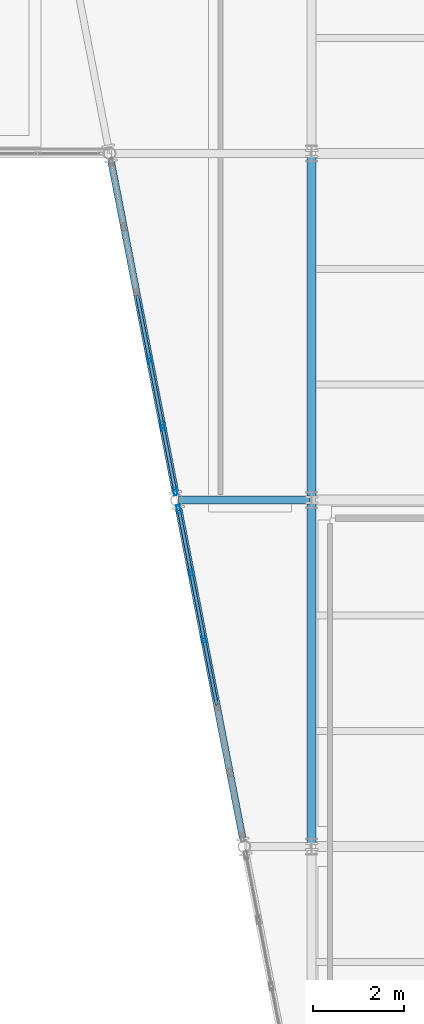
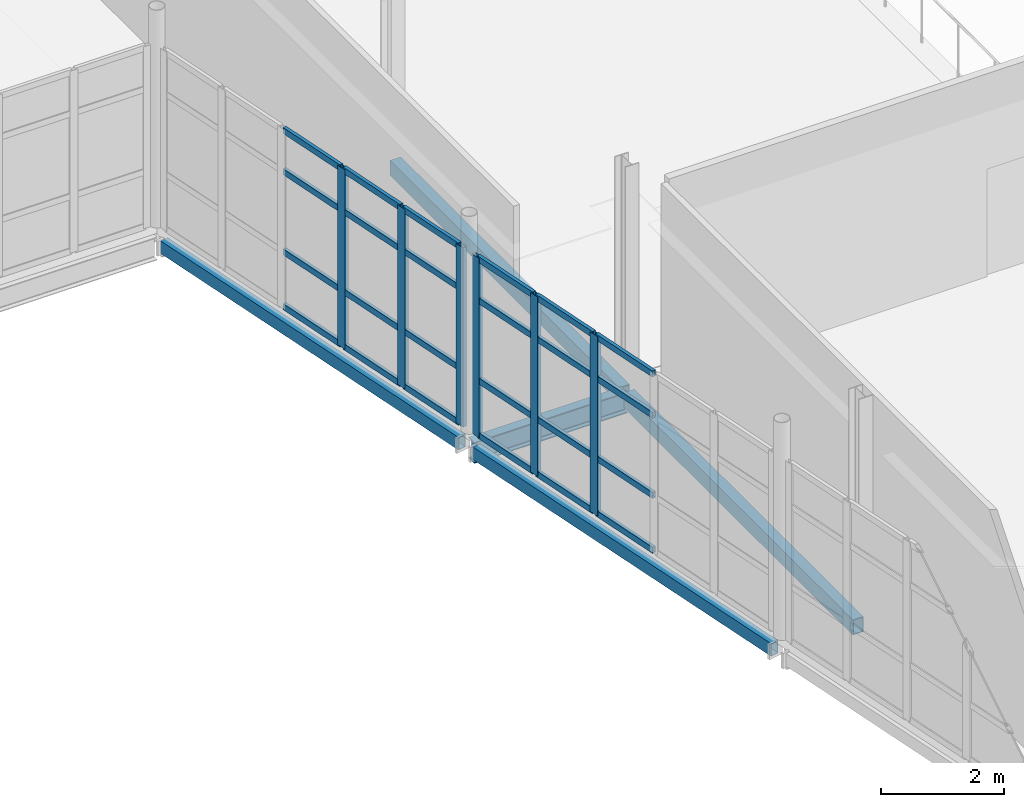
# One storey, part 90 of 174: 30 members, 5 beams, 2 elements without a shape of their own.
"""IFC4 building model written with IfcOpenShell, lengths in metres."""

from ifc_helpers import new_model, si_unit, direction, frame, origin, origin_2d, place, context, subcontext, project, spatial, hollow_rectangle, i_section, extrude, material, material_profile, profile_set, type_object, element, aggregate, save


model = new_model("IFC4")

# Units and contexts
model_context = context("Model", 3, precision=1e-05, world=origin(), true_north=direction((0.0, 1.0)))
body_context = subcontext(model_context, "Body", "Model", "MODEL_VIEW")
ifc_project = project(units=[si_unit("LENGTHUNIT", "METRE"), si_unit("AREAUNIT", "SQUARE_METRE"), si_unit("VOLUMEUNIT", "CUBIC_METRE"), si_unit("PLANEANGLEUNIT", "RADIAN"), si_unit("MASSUNIT", "GRAM", prefix="KILO")], contexts=[model_context])

# Site, building, storey
site_placement = place(None, origin())
site = spatial("IfcSite", under=ifc_project, at=site_placement, CompositionType="ELEMENT")
building_placement = place(site_placement, origin())
building = spatial("IfcBuilding", under=site, at=building_placement, Name="Caisbarro Railhouse Central Library", CompositionType="ELEMENT")
storey_placement = place(building_placement, frame((0.0, 0.0, 5.0400390625)))
storey = spatial("IfcBuildingStorey", under=building, at=storey_placement, Name="L01", CompositionType="ELEMENT", Elevation=5.0400390625)

# Beams
ifc_material_1 = material(Name="Steel ASTM A572 Grade 50", Category="steel")
ifc_material_profile_1 = material_profile(ifc_material_1, i_section(OverallWidth=0.180908203125, OverallDepth=0.4169921875, WebThickness=0.010986328125, FlangeThickness=0.018310546875, FilletRadius=0.01611328125, at=origin_2d()), Name="W410X85.0")
ifc_profile_set_1 = profile_set([ifc_material_profile_1], Name="Steel ASTM A572 Grade 50")
beam_type_1 = type_object("IfcBeamType", Name="BM-G09", PredefinedType="BEAM", material=ifc_profile_set_1)
beam_1_placement = place(storey_placement, frame((114.0849609375, 76.0, -0.428466796875), z_axis=(1.0, 0.0, 0.0), x_axis=(0.0, 1.0, 0.0)))
element("IfcBeam", 1, at=beam_1_placement, inside=storey, type_object=beam_type_1, Name="G09 beam L01 #1272", PredefinedType="BEAM", context=body_context, shape_type="SweptSolid", body=[
    extrude(i_section(OverallWidth=0.180908203125, OverallDepth=0.4169921875, WebThickness=0.010986328125, FlangeThickness=0.018310546875, FilletRadius=0.01611328125, at=origin_2d()), origin(), (0.0, 0.0, 1.0), 2.875),
])
ifc_material_profile_2 = material_profile(ifc_material_1, hollow_rectangle(XDim=0.199951171875, YDim=0.300048828125, WallThickness=0.012451171875, at=origin_2d()), Name="HSS300X200X12.5")
ifc_profile_set_2 = profile_set([ifc_material_profile_2], Name="Steel ASTM A572 Grade 50")
beam_type_2 = type_object("IfcBeamType", Name="BM-SP02", PredefinedType="SPANDREL", material=ifc_profile_set_2)
for number, where, z_axis, x_axis, name in (
    (2, (117.0, 68.47998046875, -0.3701171875), (0.0, 1.0, 0.0), (-1.0, 0.0, 0.0), "SP02 beam L01 #932"),
    (3, (117.0, 76.080078125, -0.3701171875), (0.0, 1.0, 0.0), (-1.0, 0.0, 0.0), "SP02 beam L01 #933"),
):
    element("IfcBeam", number, at=place(storey_placement, frame(where, z_axis=z_axis, x_axis=x_axis)), inside=storey, type_object=beam_type_2, Name=name, PredefinedType="SPANDREL", context=body_context, shape_type="SweptSolid", body=[
        extrude(hollow_rectangle(XDim=0.199951171875, YDim=0.300048828125, WallThickness=0.012451171875, at=origin_2d()), origin(), (0.0, 0.0, 1.0), 7.43994140625),
    ])
ifc_material_profile_3 = material_profile(ifc_material_1, hollow_rectangle(XDim=0.14990234375, YDim=0.25, WallThickness=0.010009765625, at=origin_2d()), Name="HSS250X150X10")
ifc_profile_set_3 = profile_set([ifc_material_profile_3], Name="Steel ASTM A572 Grade 50")
beam_type_3 = type_object("IfcBeamType", Name="BM-SP03", PredefinedType="SPANDREL", material=ifc_profile_set_3)
beam_2_placement = place(storey_placement, frame((115.488525390625, 68.57666015625, -0.344970703125), z_axis=(-0.19088559215, 0.981612291442, 0.0), x_axis=(-0.981612291442, -0.19088559215, 0.0)))
element("IfcBeam", 4, at=beam_2_placement, inside=storey, type_object=beam_type_3, Name="SP03 beam L01 #1266", PredefinedType="SPANDREL", context=body_context, shape_type="SweptSolid", body=[
    extrude(hollow_rectangle(XDim=0.14990234375, YDim=0.25, WallThickness=0.010009765625, at=origin_2d()), origin(), (0.0, 0.0, 1.0), 7.38232421875),
])
beam_3_placement = place(storey_placement, frame((114.0107421875, 76.1767578125, -0.344970703125), z_axis=(-0.1907899916, 0.981630877217, 0.0), x_axis=(-0.981630877217, -0.1907899916, 0.0)))
element("IfcBeam", 5, at=beam_3_placement, inside=storey, type_object=beam_type_3, Name="SP03 beam L01 #1267", PredefinedType="SPANDREL", context=body_context, shape_type="SweptSolid", body=[
    extrude(hollow_rectangle(XDim=0.14990234375, YDim=0.25, WallThickness=0.010009765625, at=origin_2d()), origin(), (0.0, 0.0, 1.0), 7.382080078125),
])

# Curtain wall, members
ifc_material_2 = material(Name="Anodised architectural aluminium", Category="aluminium")
curtain_wall_type = type_object("IfcCurtainWallType", Name="CW-CW02", PredefinedType="NOTDEFINED", material=ifc_material_2)
curtain_wall_1_placement = place(storey_placement, origin())
curtain_wall_1 = element("IfcCurtainWall", 6, at=curtain_wall_1_placement, inside=storey, type_object=curtain_wall_type, Name="CW02 curtain wall L01 #111", PredefinedType="NOTDEFINED")
ifc_material_profile_4 = material_profile(ifc_material_2, hollow_rectangle(XDim=0.074951171875, YDim=0.179931640625, WallThickness=0.00439453125, at=origin_2d()), Name="ALU-MUL-75X180")
ifc_profile_set_4 = profile_set([ifc_material_profile_4], Name="Anodised architectural aluminium")
member_type_1 = type_object("IfcMemberType", Name="CWM-M01", PredefinedType="MULLION", material=ifc_profile_set_4)
member_1_placement = place(storey_placement, frame((114.642333984375, 72.928466796875, 0.0), z_axis=(0.0, 0.0, 1.0), x_axis=(-0.98160739523, -0.190910768765, 0.0)))
member_1 = element("IfcMember", 7, at=member_1_placement, type_object=member_type_1, Name="CW02 mullion 4", PredefinedType="MULLION", context=body_context, shape_type="SweptSolid", body=[
    extrude(hollow_rectangle(XDim=0.074951171875, YDim=0.179931640625, WallThickness=0.00439453125, at=origin_2d()), origin(), (0.0, 0.0, 1.0), 3.56005859375),
])
member_2_placement = place(storey_placement, frame((114.35888671875, 74.3857421875, 0.0), z_axis=(0.0, 0.0, 1.0), x_axis=(-0.98160739523, -0.190910768765, 0.0)))
member_2 = element("IfcMember", 8, at=member_2_placement, type_object=member_type_1, Name="CW02 mullion 5", PredefinedType="MULLION", context=body_context, shape_type="SweptSolid", body=[
    extrude(hollow_rectangle(XDim=0.074951171875, YDim=0.179931640625, WallThickness=0.00439453125, at=origin_2d()), origin(), (0.0, 0.0, 1.0), 3.56005859375),
])
member_3_placement = place(storey_placement, frame((114.082763671875, 75.80615234375, 0.0), z_axis=(0.0, 0.0, 1.0), x_axis=(-0.98160739523, -0.190910768765, 0.0)))
member_3 = element("IfcMember", 9, at=member_3_placement, type_object=member_type_1, Name="CW02 mullion 6", PredefinedType="MULLION", context=body_context, shape_type="SweptSolid", body=[
    extrude(hollow_rectangle(XDim=0.074951171875, YDim=0.179931640625, WallThickness=0.00439453125, at=origin_2d()), origin(), (0.0, 0.0, 1.0), 3.56005859375),
])

curtain_wall_2_placement = place(storey_placement, origin())
curtain_wall_2 = element("IfcCurtainWall", 10, at=curtain_wall_2_placement, inside=storey, type_object=curtain_wall_type, Name="CW02 curtain wall L01 #112", PredefinedType="NOTDEFINED")
member_4_placement = place(storey_placement, frame((114.00732421875, 76.19384765625, 0.0), z_axis=(0.0, 0.0, 1.0), x_axis=(-0.981632635401, -0.190780945369, 0.0)))
member_4 = element("IfcMember", 11, at=member_4_placement, type_object=member_type_1, Name="CW02 mullion 1", PredefinedType="MULLION", context=body_context, shape_type="SweptSolid", body=[
    extrude(hollow_rectangle(XDim=0.074951171875, YDim=0.179931640625, WallThickness=0.00439453125, at=origin_2d()), origin(), (0.0, 0.0, 1.0), 3.56005859375),
])
member_5_placement = place(storey_placement, frame((113.731201171875, 77.6142578125, 0.0), z_axis=(0.0, 0.0, 1.0), x_axis=(-0.981632635401, -0.190780945369, 0.0)))
member_5 = element("IfcMember", 12, at=member_5_placement, type_object=member_type_1, Name="CW02 mullion 2", PredefinedType="MULLION", context=body_context, shape_type="SweptSolid", body=[
    extrude(hollow_rectangle(XDim=0.074951171875, YDim=0.179931640625, WallThickness=0.00439453125, at=origin_2d()), origin(), (0.0, 0.0, 1.0), 3.56005859375),
])
member_6_placement = place(storey_placement, frame((113.447998046875, 79.071533203125, 0.0), z_axis=(0.0, 0.0, 1.0), x_axis=(-0.981632635401, -0.190780945369, 0.0)))
member_6 = element("IfcMember", 13, at=member_6_placement, type_object=member_type_1, Name="CW02 mullion 3", PredefinedType="MULLION", context=body_context, shape_type="SweptSolid", body=[
    extrude(hollow_rectangle(XDim=0.074951171875, YDim=0.179931640625, WallThickness=0.00439453125, at=origin_2d()), origin(), (0.0, 0.0, 1.0), 3.56005859375),
])

# Member
ifc_material_profile_5 = material_profile(ifc_material_2, hollow_rectangle(XDim=0.06494140625, YDim=0.1201171875, WallThickness=0.00341796875, at=origin_2d()), Name="ALU-TRN-65X120")
ifc_profile_set_5 = profile_set([ifc_material_profile_5], Name="Anodised architectural aluminium")
member_type_2 = type_object("IfcMemberType", Name="CWT-T02", PredefinedType="USERDEFINED", material=ifc_profile_set_5)
member_7_placement = place(storey_placement, frame((114.91845703125, 71.50830078125, 0.032470703125), z_axis=(-0.190883567843, 0.981612685089, 0.0), x_axis=(-0.981612685089, -0.190883567843, 0.0)))
member_7 = element("IfcMember", 14, at=member_7_placement, type_object=member_type_2, Name="CW02 transom 3.1", ObjectType="TRANSOM", PredefinedType="USERDEFINED", context=body_context, shape_type="SweptSolid", body=[
    extrude(hollow_rectangle(XDim=0.06494140625, YDim=0.1201171875, WallThickness=0.00341796875, at=origin_2d()), origin(), (0.0, 0.0, 1.0), 1.409423828125),
])

member_8_placement = place(storey_placement, frame((114.91845703125, 71.50830078125, 1.119873046875), z_axis=(-0.190883567843, 0.981612685089, 0.0), x_axis=(-0.981612685089, -0.190883567843, 0.0)))
member_8 = element("IfcMember", 15, at=member_8_placement, type_object=member_type_2, Name="CW02 transom 3.2", ObjectType="TRANSOM", PredefinedType="USERDEFINED", context=body_context, shape_type="SweptSolid", body=[
    extrude(hollow_rectangle(XDim=0.06494140625, YDim=0.1201171875, WallThickness=0.00341796875, at=origin_2d()), origin(), (0.0, 0.0, 1.0), 1.409423828125),
])

member_9_placement = place(storey_placement, frame((114.91845703125, 71.50830078125, 2.7099609375), z_axis=(-0.190883567843, 0.981612685089, 0.0), x_axis=(-0.981612685089, -0.190883567843, 0.0)))
member_9 = element("IfcMember", 16, at=member_9_placement, type_object=member_type_2, Name="CW02 transom 3.3", ObjectType="TRANSOM", PredefinedType="USERDEFINED", context=body_context, shape_type="SweptSolid", body=[
    extrude(hollow_rectangle(XDim=0.06494140625, YDim=0.1201171875, WallThickness=0.00341796875, at=origin_2d()), origin(), (0.0, 0.0, 1.0), 1.409423828125),
])

member_10_placement = place(storey_placement, frame((114.91845703125, 71.50830078125, 3.52734375), z_axis=(-0.190883567843, 0.981612685089, 0.0), x_axis=(-0.981612685089, -0.190883567843, 0.0)))
member_10 = element("IfcMember", 17, at=member_10_placement, type_object=member_type_2, Name="CW02 transom 3.4", ObjectType="TRANSOM", PredefinedType="USERDEFINED", context=body_context, shape_type="SweptSolid", body=[
    extrude(hollow_rectangle(XDim=0.06494140625, YDim=0.1201171875, WallThickness=0.00341796875, at=origin_2d()), origin(), (0.0, 0.0, 1.0), 1.409423828125),
])

member_11_placement = place(storey_placement, frame((114.63525390625, 72.96533203125, 0.032470703125), z_axis=(-0.191050463767, 0.981580215925, 0.0), x_axis=(-0.981580215925, -0.191050463767, 0.0)))
member_11 = element("IfcMember", 18, at=member_11_placement, type_object=member_type_2, Name="CW02 transom 4.1", ObjectType="TRANSOM", PredefinedType="USERDEFINED", context=body_context, shape_type="SweptSolid", body=[
    extrude(hollow_rectangle(XDim=0.06494140625, YDim=0.1201171875, WallThickness=0.00341796875, at=origin_2d()), origin(), (0.0, 0.0, 1.0), 1.409423828125),
])

member_12_placement = place(storey_placement, frame((114.63525390625, 72.96533203125, 1.119873046875), z_axis=(-0.191050463767, 0.981580215925, 0.0), x_axis=(-0.981580215925, -0.191050463767, 0.0)))
member_12 = element("IfcMember", 19, at=member_12_placement, type_object=member_type_2, Name="CW02 transom 4.2", ObjectType="TRANSOM", PredefinedType="USERDEFINED", context=body_context, shape_type="SweptSolid", body=[
    extrude(hollow_rectangle(XDim=0.06494140625, YDim=0.1201171875, WallThickness=0.00341796875, at=origin_2d()), origin(), (0.0, 0.0, 1.0), 1.409423828125),
])

member_13_placement = place(storey_placement, frame((114.63525390625, 72.96533203125, 2.7099609375), z_axis=(-0.191050463767, 0.981580215925, 0.0), x_axis=(-0.981580215925, -0.191050463767, 0.0)))
member_13 = element("IfcMember", 20, at=member_13_placement, type_object=member_type_2, Name="CW02 transom 4.3", ObjectType="TRANSOM", PredefinedType="USERDEFINED", context=body_context, shape_type="SweptSolid", body=[
    extrude(hollow_rectangle(XDim=0.06494140625, YDim=0.1201171875, WallThickness=0.00341796875, at=origin_2d()), origin(), (0.0, 0.0, 1.0), 1.409423828125),
])

member_14_placement = place(storey_placement, frame((114.63525390625, 72.96533203125, 3.52734375), z_axis=(-0.191050463767, 0.981580215925, 0.0), x_axis=(-0.981580215925, -0.191050463767, 0.0)))
member_14 = element("IfcMember", 21, at=member_14_placement, type_object=member_type_2, Name="CW02 transom 4.4", ObjectType="TRANSOM", PredefinedType="USERDEFINED", context=body_context, shape_type="SweptSolid", body=[
    extrude(hollow_rectangle(XDim=0.06494140625, YDim=0.1201171875, WallThickness=0.00341796875, at=origin_2d()), origin(), (0.0, 0.0, 1.0), 1.409423828125),
])

member_15_placement = place(storey_placement, frame((114.351806640625, 74.422607421875, 0.032470703125), z_axis=(-0.190945868313, 0.981600568141, 0.0), x_axis=(-0.981600568141, -0.190945868313, 0.0)))
member_15 = element("IfcMember", 22, at=member_15_placement, type_object=member_type_2, Name="CW02 transom 5.1", ObjectType="TRANSOM", PredefinedType="USERDEFINED", context=body_context, shape_type="SweptSolid", body=[
    extrude(hollow_rectangle(XDim=0.06494140625, YDim=0.1201171875, WallThickness=0.00341796875, at=origin_2d()), origin(), (0.0, 0.0, 1.0), 1.371826171875),
])

member_16_placement = place(storey_placement, frame((114.351806640625, 74.422607421875, 1.119873046875), z_axis=(-0.190945868313, 0.981600568141, 0.0), x_axis=(-0.981600568141, -0.190945868313, 0.0)))
member_16 = element("IfcMember", 23, at=member_16_placement, type_object=member_type_2, Name="CW02 transom 5.2", ObjectType="TRANSOM", PredefinedType="USERDEFINED", context=body_context, shape_type="SweptSolid", body=[
    extrude(hollow_rectangle(XDim=0.06494140625, YDim=0.1201171875, WallThickness=0.00341796875, at=origin_2d()), origin(), (0.0, 0.0, 1.0), 1.371826171875),
])

member_17_placement = place(storey_placement, frame((114.351806640625, 74.422607421875, 2.7099609375), z_axis=(-0.190945868313, 0.981600568141, 0.0), x_axis=(-0.981600568141, -0.190945868313, 0.0)))
member_17 = element("IfcMember", 24, at=member_17_placement, type_object=member_type_2, Name="CW02 transom 5.3", ObjectType="TRANSOM", PredefinedType="USERDEFINED", context=body_context, shape_type="SweptSolid", body=[
    extrude(hollow_rectangle(XDim=0.06494140625, YDim=0.1201171875, WallThickness=0.00341796875, at=origin_2d()), origin(), (0.0, 0.0, 1.0), 1.371826171875),
])

member_18_placement = place(storey_placement, frame((114.351806640625, 74.422607421875, 3.52734375), z_axis=(-0.190945868313, 0.981600568141, 0.0), x_axis=(-0.981600568141, -0.190945868313, 0.0)))
member_18 = element("IfcMember", 25, at=member_18_placement, type_object=member_type_2, Name="CW02 transom 5.4", ObjectType="TRANSOM", PredefinedType="USERDEFINED", context=body_context, shape_type="SweptSolid", body=[
    extrude(hollow_rectangle(XDim=0.06494140625, YDim=0.1201171875, WallThickness=0.00341796875, at=origin_2d()), origin(), (0.0, 0.0, 1.0), 1.371826171875),
])

aggregate(curtain_wall_1, [member_1, member_2, member_3, member_7, member_8, member_9, member_10, member_11, member_12, member_13, member_14, member_15, member_16, member_17, member_18])

member_19_placement = place(storey_placement, frame((114.000244140625, 76.230712890625, 0.032470703125), z_axis=(-0.190774392735, 0.981633908887, 0.0), x_axis=(-0.981633908887, -0.190774392735, 0.0)))
member_19 = element("IfcMember", 26, at=member_19_placement, type_object=member_type_2, Name="CW02 transom 1.1", ObjectType="TRANSOM", PredefinedType="USERDEFINED", context=body_context, shape_type="SweptSolid", body=[
    extrude(hollow_rectangle(XDim=0.06494140625, YDim=0.1201171875, WallThickness=0.00341796875, at=origin_2d()), origin(), (0.0, 0.0, 1.0), 1.371826171875),
])

member_20_placement = place(storey_placement, frame((114.000244140625, 76.230712890625, 1.119873046875), z_axis=(-0.190774392735, 0.981633908887, 0.0), x_axis=(-0.981633908887, -0.190774392735, 0.0)))
member_20 = element("IfcMember", 27, at=member_20_placement, type_object=member_type_2, Name="CW02 transom 1.2", ObjectType="TRANSOM", PredefinedType="USERDEFINED", context=body_context, shape_type="SweptSolid", body=[
    extrude(hollow_rectangle(XDim=0.06494140625, YDim=0.1201171875, WallThickness=0.00341796875, at=origin_2d()), origin(), (0.0, 0.0, 1.0), 1.371826171875),
])

member_21_placement = place(storey_placement, frame((114.000244140625, 76.230712890625, 2.7099609375), z_axis=(-0.190774392735, 0.981633908887, 0.0), x_axis=(-0.981633908887, -0.190774392735, 0.0)))
member_21 = element("IfcMember", 28, at=member_21_placement, type_object=member_type_2, Name="CW02 transom 1.3", ObjectType="TRANSOM", PredefinedType="USERDEFINED", context=body_context, shape_type="SweptSolid", body=[
    extrude(hollow_rectangle(XDim=0.06494140625, YDim=0.1201171875, WallThickness=0.00341796875, at=origin_2d()), origin(), (0.0, 0.0, 1.0), 1.371826171875),
])

member_22_placement = place(storey_placement, frame((114.000244140625, 76.230712890625, 3.52734375), z_axis=(-0.190774392735, 0.981633908887, 0.0), x_axis=(-0.981633908887, -0.190774392735, 0.0)))
member_22 = element("IfcMember", 29, at=member_22_placement, type_object=member_type_2, Name="CW02 transom 1.4", ObjectType="TRANSOM", PredefinedType="USERDEFINED", context=body_context, shape_type="SweptSolid", body=[
    extrude(hollow_rectangle(XDim=0.06494140625, YDim=0.1201171875, WallThickness=0.00341796875, at=origin_2d()), origin(), (0.0, 0.0, 1.0), 1.371826171875),
])

member_23_placement = place(storey_placement, frame((113.72412109375, 77.651123046875, 0.032470703125), z_axis=(-0.190716655365, 0.981645128021, 0.0), x_axis=(-0.981645128021, -0.190716655365, 0.0)))
member_23 = element("IfcMember", 30, at=member_23_placement, type_object=member_type_2, Name="CW02 transom 2.1", ObjectType="TRANSOM", PredefinedType="USERDEFINED", context=body_context, shape_type="SweptSolid", body=[
    extrude(hollow_rectangle(XDim=0.06494140625, YDim=0.1201171875, WallThickness=0.00341796875, at=origin_2d()), origin(), (0.0, 0.0, 1.0), 1.409423828125),
])

member_24_placement = place(storey_placement, frame((113.72412109375, 77.651123046875, 1.119873046875), z_axis=(-0.190716655365, 0.981645128021, 0.0), x_axis=(-0.981645128021, -0.190716655365, 0.0)))
member_24 = element("IfcMember", 31, at=member_24_placement, type_object=member_type_2, Name="CW02 transom 2.2", ObjectType="TRANSOM", PredefinedType="USERDEFINED", context=body_context, shape_type="SweptSolid", body=[
    extrude(hollow_rectangle(XDim=0.06494140625, YDim=0.1201171875, WallThickness=0.00341796875, at=origin_2d()), origin(), (0.0, 0.0, 1.0), 1.409423828125),
])

member_25_placement = place(storey_placement, frame((113.72412109375, 77.651123046875, 2.7099609375), z_axis=(-0.190716655365, 0.981645128021, 0.0), x_axis=(-0.981645128021, -0.190716655365, 0.0)))
member_25 = element("IfcMember", 32, at=member_25_placement, type_object=member_type_2, Name="CW02 transom 2.3", ObjectType="TRANSOM", PredefinedType="USERDEFINED", context=body_context, shape_type="SweptSolid", body=[
    extrude(hollow_rectangle(XDim=0.06494140625, YDim=0.1201171875, WallThickness=0.00341796875, at=origin_2d()), origin(), (0.0, 0.0, 1.0), 1.409423828125),
])

member_26_placement = place(storey_placement, frame((113.72412109375, 77.651123046875, 3.52734375), z_axis=(-0.190716655365, 0.981645128021, 0.0), x_axis=(-0.981645128021, -0.190716655365, 0.0)))
member_26 = element("IfcMember", 33, at=member_26_placement, type_object=member_type_2, Name="CW02 transom 2.4", ObjectType="TRANSOM", PredefinedType="USERDEFINED", context=body_context, shape_type="SweptSolid", body=[
    extrude(hollow_rectangle(XDim=0.06494140625, YDim=0.1201171875, WallThickness=0.00341796875, at=origin_2d()), origin(), (0.0, 0.0, 1.0), 1.409423828125),
])

member_27_placement = place(storey_placement, frame((113.44091796875, 79.108154296875, 0.032470703125), z_axis=(-0.190716655365, 0.981645128021, 0.0), x_axis=(-0.981645128021, -0.190716655365, 0.0)))
member_27 = element("IfcMember", 34, at=member_27_placement, type_object=member_type_2, Name="CW02 transom 3.1", ObjectType="TRANSOM", PredefinedType="USERDEFINED", context=body_context, shape_type="SweptSolid", body=[
    extrude(hollow_rectangle(XDim=0.06494140625, YDim=0.1201171875, WallThickness=0.00341796875, at=origin_2d()), origin(), (0.0, 0.0, 1.0), 1.409423828125),
])

member_28_placement = place(storey_placement, frame((113.44091796875, 79.108154296875, 1.119873046875), z_axis=(-0.190716655365, 0.981645128021, 0.0), x_axis=(-0.981645128021, -0.190716655365, 0.0)))
member_28 = element("IfcMember", 35, at=member_28_placement, type_object=member_type_2, Name="CW02 transom 3.2", ObjectType="TRANSOM", PredefinedType="USERDEFINED", context=body_context, shape_type="SweptSolid", body=[
    extrude(hollow_rectangle(XDim=0.06494140625, YDim=0.1201171875, WallThickness=0.00341796875, at=origin_2d()), origin(), (0.0, 0.0, 1.0), 1.409423828125),
])

member_29_placement = place(storey_placement, frame((113.44091796875, 79.108154296875, 2.7099609375), z_axis=(-0.190716655365, 0.981645128021, 0.0), x_axis=(-0.981645128021, -0.190716655365, 0.0)))
member_29 = element("IfcMember", 36, at=member_29_placement, type_object=member_type_2, Name="CW02 transom 3.3", ObjectType="TRANSOM", PredefinedType="USERDEFINED", context=body_context, shape_type="SweptSolid", body=[
    extrude(hollow_rectangle(XDim=0.06494140625, YDim=0.1201171875, WallThickness=0.00341796875, at=origin_2d()), origin(), (0.0, 0.0, 1.0), 1.409423828125),
])

member_30_placement = place(storey_placement, frame((113.44091796875, 79.108154296875, 3.52734375), z_axis=(-0.190716655365, 0.981645128021, 0.0), x_axis=(-0.981645128021, -0.190716655365, 0.0)))
member_30 = element("IfcMember", 37, at=member_30_placement, type_object=member_type_2, Name="CW02 transom 3.4", ObjectType="TRANSOM", PredefinedType="USERDEFINED", context=body_context, shape_type="SweptSolid", body=[
    extrude(hollow_rectangle(XDim=0.06494140625, YDim=0.1201171875, WallThickness=0.00341796875, at=origin_2d()), origin(), (0.0, 0.0, 1.0), 1.409423828125),
])

aggregate(curtain_wall_2, [member_4, member_5, member_6, member_19, member_20, member_21, member_22, member_23, member_24, member_25, member_26, member_27, member_28, member_29, member_30])

save(model, "model.ifc")
